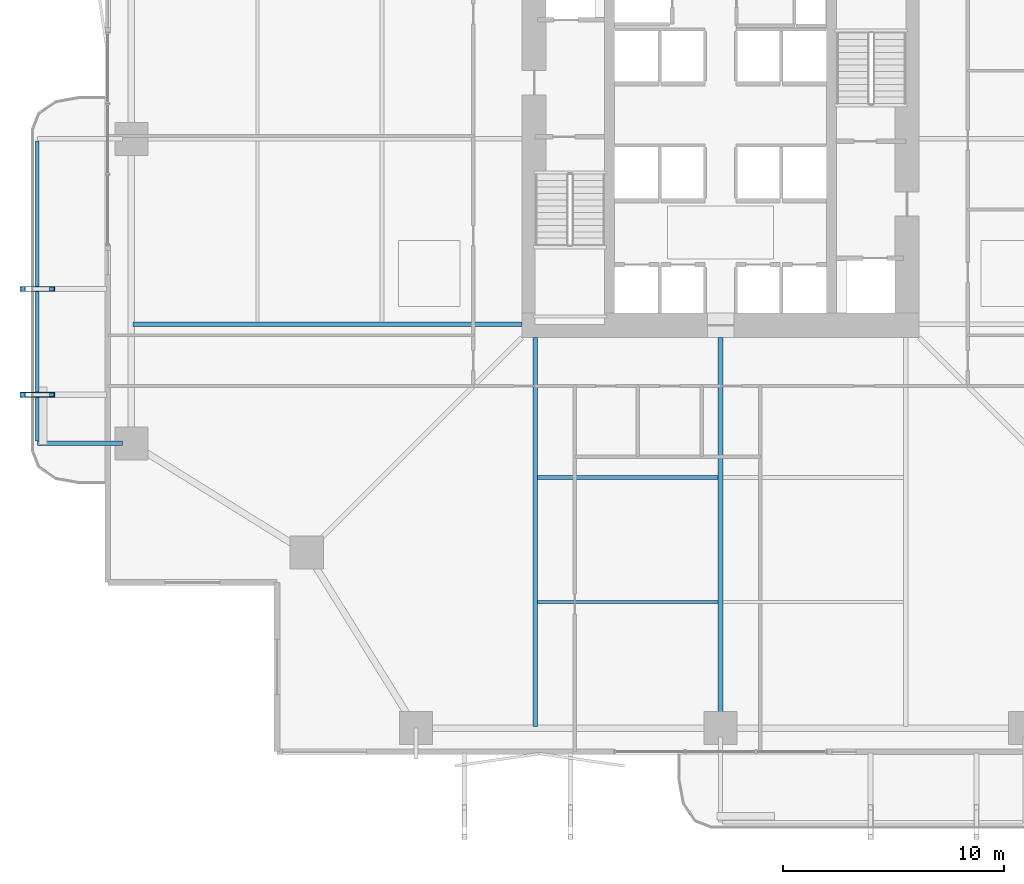
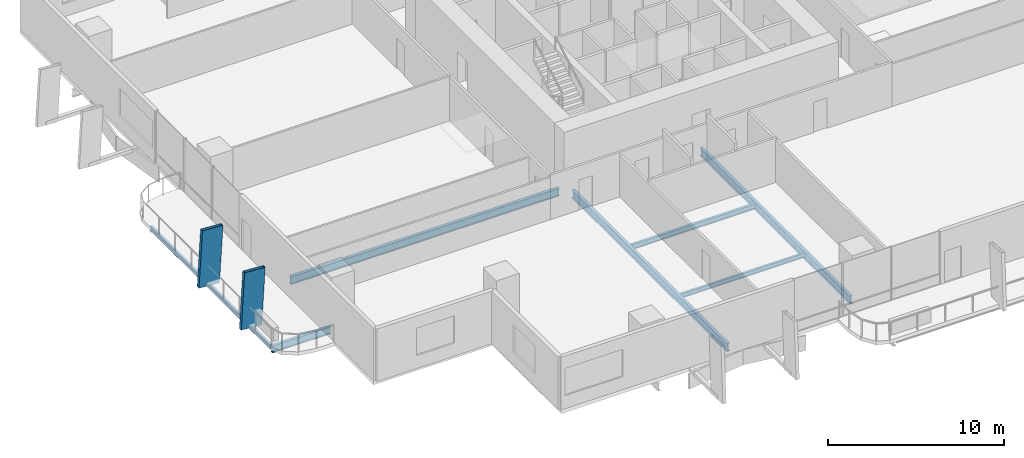
# One storey, part 3 of 24: 7 beams, 2 members.
"""IFC4 building model written with IfcOpenShell, lengths in metres."""

from ifc_helpers import new_model, si_unit, direction, frame, origin, origin_2d, place, context, subcontext, project, spatial, hollow_rectangle, i_section, extrude, material, material_profile, profile_set, type_object, element, save


model = new_model("IFC4")

# Units and contexts
model_context = context("Model", 3, precision=1e-05, world=origin(), true_north=direction((0.0, 1.0)))
body_context = subcontext(model_context, "Body", "Model", "MODEL_VIEW")
ifc_project = project(units=[si_unit("LENGTHUNIT", "METRE"), si_unit("AREAUNIT", "SQUARE_METRE"), si_unit("VOLUMEUNIT", "CUBIC_METRE"), si_unit("PLANEANGLEUNIT", "RADIAN"), si_unit("MASSUNIT", "GRAM", prefix="KILO")], contexts=[model_context])

# Site, building, storey
site_placement = place(None, origin())
site = spatial("IfcSite", under=ifc_project, at=site_placement, CompositionType="ELEMENT")
building_placement = place(site_placement, origin())
building = spatial("IfcBuilding", under=site, at=building_placement, Name="Belovzor Exchange Tower", CompositionType="ELEMENT")
storey_placement = place(building_placement, frame((0.0, 0.0, 37.800048828125)))
storey = spatial("IfcBuildingStorey", under=building, at=storey_placement, Name="L08", CompositionType="ELEMENT", Elevation=37.800048828125)

# Members
ifc_material_1 = material(Name="Extruded Architectural Terracotta on Steel S355 Carrier", Category="masonry")
ifc_material_profile_1 = material_profile(ifc_material_1, hollow_rectangle(XDim=0.219970703125, YDim=1.35009765625, WallThickness=0.013916015625, at=origin_2d()))
ifc_profile_set_1 = profile_set([ifc_material_profile_1], Name="Extruded Architectural Terracotta on Steel S355 Carrier")
member_type = type_object("IfcMemberType", Name="Base Arc Sweeping Terracotta Pylon Fin 1450", PredefinedType="USERDEFINED", material=ifc_profile_set_1)
for number, where, z_axis, x_axis, name in (
    (1, (-2.27294921875, 17.199951171875, -0.25), (0.058121188646, 0.0, 0.998309534879), (0.0, 1.0, 0.0), "FIN-TC145 Terracotta Facade Fin L08 W1"),
    (2, (-2.27294921875, 22.0, -0.25), (0.058121188646, 0.0, 0.998309534879), (0.0, 1.0, 0.0), "FIN-TC145 Terracotta Facade Fin L08 W2"),
):
    element("IfcMember", number, at=place(storey_placement, frame(where, z_axis=z_axis, x_axis=x_axis)), inside=storey, type_object=member_type, Name=name, ObjectType="FIN", PredefinedType="USERDEFINED", context=body_context, shape_type="SweptSolid", body=[
        extrude(hollow_rectangle(XDim=0.219970703125, YDim=1.35009765625, WallThickness=0.013916015625, at=origin_2d()), origin(), (0.0, 0.0, 1.0), 3.906494140625),
    ])

# Beams
ifc_material_2 = material(Name="Steel S355", Category="steel")
ifc_material_profile_2 = material_profile(ifc_material_2, i_section(OverallWidth=0.199951171875, OverallDepth=0.5, WebThickness=0.01025390625, FlangeThickness=0.01611328125, at=origin_2d()))
ifc_profile_set_2 = profile_set([ifc_material_profile_2], Name="Steel S355")
beam_type_1 = type_object("IfcBeamType", Name="Planted Balcony Cantilever Beam IPE 500", PredefinedType="BEAM", material=ifc_profile_set_2)
beam_1_placement = place(storey_placement, frame((1.68798828125, 15.0, -0.5), z_axis=(-1.0, 0.0, 0.0), x_axis=(0.0, -1.0, 0.0)))
element("IfcBeam", 3, at=beam_1_placement, inside=storey, type_object=beam_type_1, Name="BC-500 Planted Balcony Cantilever Beam IPE 500", PredefinedType="BEAM", context=body_context, shape_type="SweptSolid", body=[
    extrude(i_section(OverallWidth=0.199951171875, OverallDepth=0.5, WebThickness=0.01025390625, FlangeThickness=0.01611328125, at=origin_2d()), origin(), (0.0, 0.0, 1.0), 3.85009765625),
])
ifc_material_3 = material(Name="Steel S355", Category="steel")
ifc_material_profile_3 = material_profile(ifc_material_3, i_section(OverallWidth=0.14990234375, OverallDepth=0.300048828125, WebThickness=0.007080078125, FlangeThickness=0.0107421875, at=origin_2d()))
ifc_profile_set_3 = profile_set([ifc_material_profile_3], Name="Steel S355")
beam_type_2 = type_object("IfcBeamType", Name="Planted Balcony Fascia Edge Beam IPE 300", PredefinedType="BEAM", material=ifc_profile_set_3)
beam_2_placement = place(storey_placement, frame((-2.162109375, 28.699951171875, -0.400146484375), z_axis=(0.0, -1.0, 0.0), x_axis=(1.0, 0.0, 0.0)))
element("IfcBeam", 4, at=beam_2_placement, inside=storey, type_object=beam_type_2, Name="BC-300 Planted Balcony Fascia Edge Beam IPE 300", PredefinedType="BEAM", context=body_context, shape_type="SweptSolid", body=[
    extrude(i_section(OverallWidth=0.14990234375, OverallDepth=0.300048828125, WebThickness=0.007080078125, FlangeThickness=0.0107421875, at=origin_2d()), origin(), (0.0, 0.0, 1.0), 13.599853515625),
])
ifc_material_4 = material(Name="Steel S355", Category="steel")
ifc_material_profile_4 = material_profile(ifc_material_4, i_section(OverallWidth=0.169921875, OverallDepth=0.360107421875, WebThickness=0.008056640625, FlangeThickness=0.0126953125, at=origin_2d()))
ifc_profile_set_4 = profile_set([ifc_material_profile_4], Name="Steel S355")
beam_type_3 = type_object("IfcBeamType", Name="Secondary Infill Floor Joist IPE 360", PredefinedType="BEAM", material=ifc_profile_set_4)
beam_3_placement = place(storey_placement, frame((20.5048828125, 13.455078125, -0.429931640625), z_axis=(1.0, 0.0, 0.0), x_axis=(0.0, 1.0, 0.0)))
element("IfcBeam", 5, at=beam_3_placement, inside=storey, type_object=beam_type_3, Name="FJ-360 Secondary Infill Floor Joist IPE 360", PredefinedType="BEAM", context=body_context, shape_type="SweptSolid", body=[
    extrude(i_section(OverallWidth=0.169921875, OverallDepth=0.360107421875, WebThickness=0.008056640625, FlangeThickness=0.0126953125, at=origin_2d()), origin(), (0.0, 0.0, 1.0), 8.190185546875),
])
ifc_material_5 = material(Name="Steel S355", Category="steel")
ifc_material_profile_5 = material_profile(ifc_material_5, i_section(OverallWidth=0.14990234375, OverallDepth=0.300048828125, WebThickness=0.007080078125, FlangeThickness=0.0107421875, at=origin_2d()))
ifc_profile_set_5 = profile_set([ifc_material_profile_5], Name="Steel S355")
beam_type_4 = type_object("IfcBeamType", Name="Secondary Trim Floor Joist IPE 300", PredefinedType="BEAM", material=ifc_profile_set_5)
beam_4_placement = place(storey_placement, frame((20.5048828125, 7.81494140625, -0.400146484375), z_axis=(1.0, 0.0, 0.0), x_axis=(0.0, 1.0, 0.0)))
element("IfcBeam", 6, at=beam_4_placement, inside=storey, type_object=beam_type_4, Name="FJ-300 Secondary Trim Floor Joist IPE 300", PredefinedType="BEAM", context=body_context, shape_type="SweptSolid", body=[
    extrude(i_section(OverallWidth=0.14990234375, OverallDepth=0.300048828125, WebThickness=0.007080078125, FlangeThickness=0.0107421875, at=origin_2d()), origin(), (0.0, 0.0, 1.0), 8.190185546875),
])
ifc_material_6 = material(Name="Steel S355", Category="steel")
ifc_material_profile_6 = material_profile(ifc_material_6, i_section(OverallWidth=0.2099609375, OverallDepth=0.550048828125, WebThickness=0.010986328125, FlangeThickness=0.01708984375, at=origin_2d()))
ifc_profile_set_6 = profile_set([ifc_material_profile_6], Name="Steel S355")
beam_type_5 = type_object("IfcBeamType", Name="Zone 1 Radial Composite Floor Beam IPE 550", PredefinedType="BEAM", material=ifc_profile_set_6)
beam_5_placement = place(storey_placement, frame((20.39990234375, 19.800048828125, -0.525146484375), z_axis=(0.0, -1.0, 0.0), x_axis=(1.0, 0.0, 0.0)))
element("IfcBeam", 7, at=beam_5_placement, inside=storey, type_object=beam_type_5, Name="FB-550 Zone 1 Radial Composite Floor Beam IPE 550", PredefinedType="BEAM", context=body_context, shape_type="SweptSolid", body=[
    extrude(i_section(OverallWidth=0.2099609375, OverallDepth=0.550048828125, WebThickness=0.010986328125, FlangeThickness=0.01708984375, at=origin_2d()), origin(), (0.0, 0.0, 1.0), 17.625),
])
beam_6_placement = place(storey_placement, frame((28.800048828125, 19.800048828125, -0.525146484375), z_axis=(0.0, -1.0, 0.0), x_axis=(1.0, 0.0, 0.0)))
element("IfcBeam", 8, at=beam_6_placement, inside=storey, type_object=beam_type_5, Name="FB-550 Zone 1 Radial Composite Floor Beam IPE 550", PredefinedType="BEAM", context=body_context, shape_type="SweptSolid", body=[
    extrude(i_section(OverallWidth=0.2099609375, OverallDepth=0.550048828125, WebThickness=0.010986328125, FlangeThickness=0.01708984375, at=origin_2d()), origin(), (0.0, 0.0, 1.0), 17.0400390625),
])
beam_7_placement = place(storey_placement, frame((19.800048828125, 20.39990234375, -0.525146484375), z_axis=(-1.0, 0.0, 0.0), x_axis=(0.0, -1.0, 0.0)))
element("IfcBeam", 9, at=beam_7_placement, inside=storey, type_object=beam_type_5, Name="FB-550 Zone 1 Radial Composite Floor Beam IPE 550", PredefinedType="BEAM", context=body_context, shape_type="SweptSolid", body=[
    extrude(i_section(OverallWidth=0.2099609375, OverallDepth=0.550048828125, WebThickness=0.010986328125, FlangeThickness=0.01708984375, at=origin_2d()), origin(), (0.0, 0.0, 1.0), 17.625),
])

save(model, "model.ifc")
